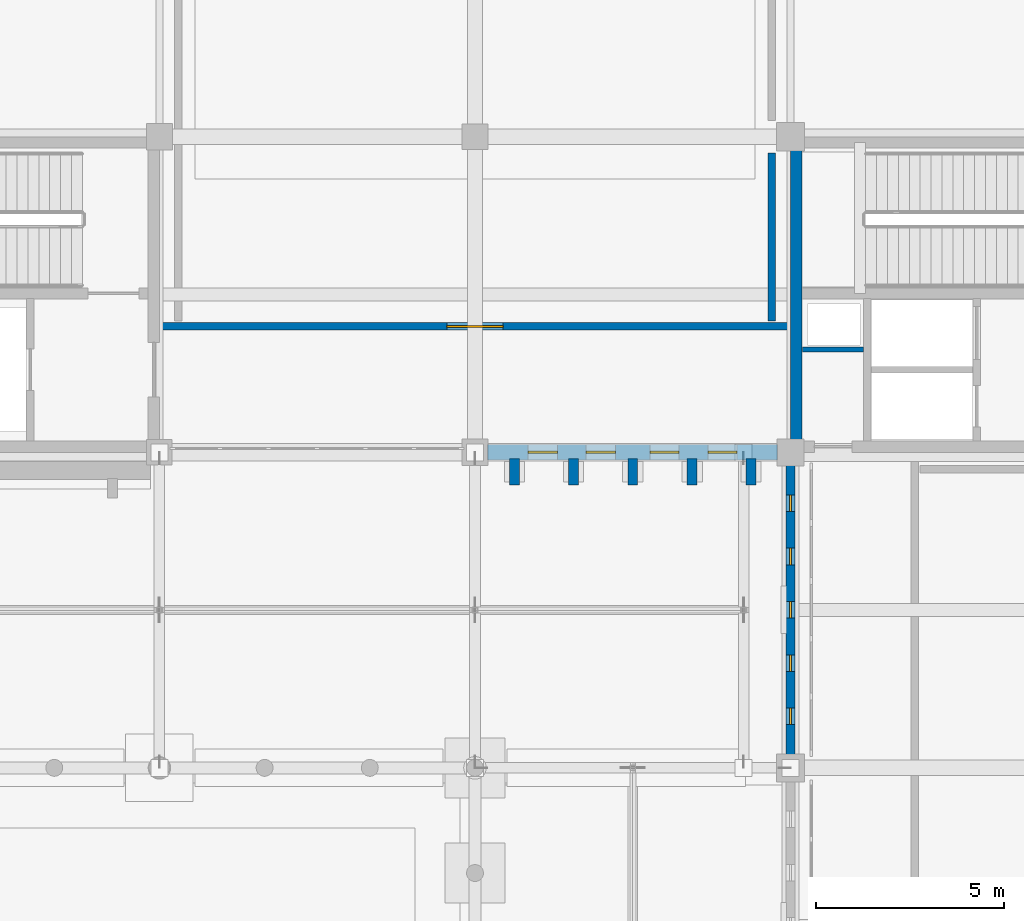
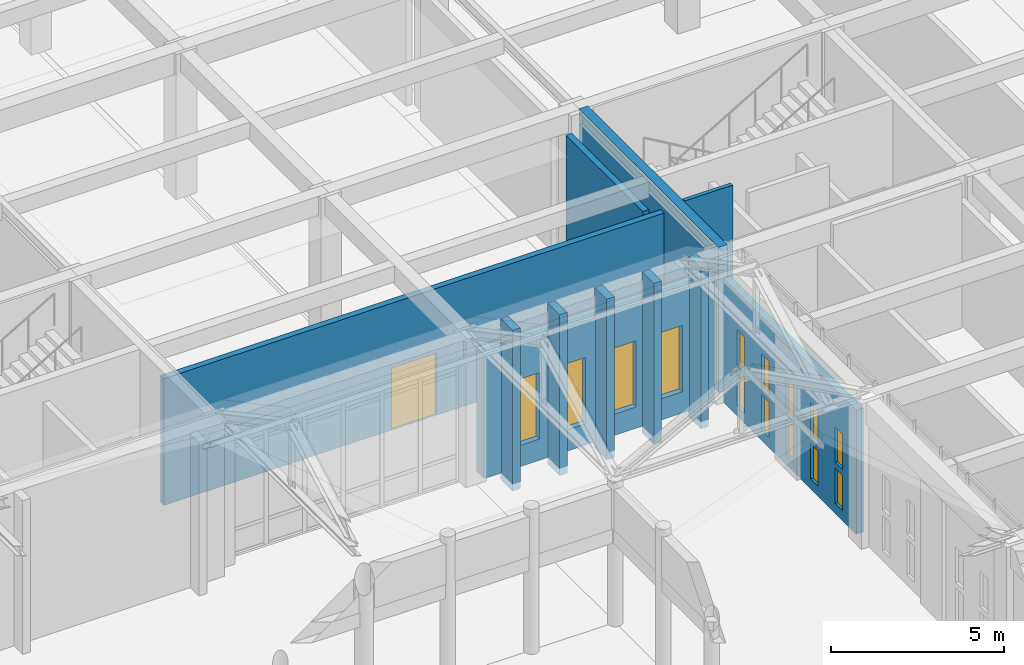
# One storey, part 122 of 143: 14 windows, 11 walls, 1 door, 15 openings.
"""IFC4 building model written with IfcOpenShell, lengths in metres."""

import ifcopenshell
import ifcopenshell.guid

model = None  # the IFC model being written
_history = None  # IfcOwnerHistory: only IFC2X3 demands one
_inside = {}  # id of a spatial element -> (the spatial element, [elements in it])
_under = {}  # id of a project, library or spatial element -> (it, [spatial elements below it])
_declared = {}  # id of a project -> (the project, [libraries it declares])
_typed = {}  # id of a type object -> (the type object, [elements of that type])
_made_of = {}  # id of a material, layer set ... -> (it, [elements and type objects made of it])


def new_model(schema):
    """Start an empty IFC model of exactly this schema.

    Asked for "IFC4X3", IfcOpenShell would pick the latest addendum, in which some entities
    have other attributes; the version numbers below select the first issue.
    IFC2X3 requires an IfcOwnerHistory on every rooted entity: one is made here for all.
    """
    global model, _history
    if schema == "IFC4X3":
        model = ifcopenshell.file(schema_version=(4, 3, 0, 0))
    else:
        model = ifcopenshell.file(schema=schema)
    _inside.clear()
    _under.clear()
    _declared.clear()
    _typed.clear()
    _made_of.clear()
    _history = None
    if model.schema == "IFC2X3":
        org = make("IfcOrganization", Name="unknown")
        user = make(
            "IfcPersonAndOrganization",
            ThePerson=make("IfcPerson", FamilyName="unknown"),
            TheOrganization=org,
        )
        app = make(
            "IfcApplication",
            ApplicationDeveloper=org,
            Version="unknown",
            ApplicationFullName="unknown",
            ApplicationIdentifier="unknown",
        )
        _history = make(
            "IfcOwnerHistory",
            OwningUser=user,
            OwningApplication=app,
            ChangeAction="ADDED",
            CreationDate=0,
        )
    return model


def make(cls, **values):
    """One entity of the class cls with the attributes given. An attribute that is None is left unset."""
    return model.create_entity(
        cls, **{name: value for name, value in values.items() if value is not None}
    )


def rooted(cls, **values):
    """An entity with a GlobalId (a new one), such as an element, a storey or a relation."""
    return make(cls, GlobalId=ifcopenshell.guid.new(), OwnerHistory=_history, **values)


def si_unit(unit_type, name, prefix=None):
    """IfcSIUnit, for example si_unit("LENGTHUNIT", "METRE", prefix="MILLI")."""
    return make("IfcSIUnit", UnitType=unit_type, Prefix=prefix, Name=name)


def assignment(units):
    """IfcUnitAssignment: the units of a project."""
    return None if units is None else make("IfcUnitAssignment", Units=units)


def point(xyz):
    """IfcCartesianPoint."""
    return None if xyz is None else make("IfcCartesianPoint", Coordinates=xyz)


def direction(xyz):
    """IfcDirection."""
    return None if xyz is None else make("IfcDirection", DirectionRatios=xyz)


def frame(location, z_axis=None, x_axis=None):
    """IfcAxis2Placement3D, a coordinate frame: its origin and axes. An axis left out is left unset."""
    return make(
        "IfcAxis2Placement3D",
        Location=point(location),
        Axis=direction(z_axis),
        RefDirection=direction(x_axis),
    )


def frame_2d(location, x_axis=None):
    """IfcAxis2Placement2D, a coordinate frame in the plane: its origin and x axis."""
    return make(
        "IfcAxis2Placement2D", Location=point(location), RefDirection=direction(x_axis)
    )


def origin():
    """The frame at (0, 0, 0) with its axes left unset."""
    return frame((0.0, 0.0, 0.0))


def place(relative_to, where):
    """IfcLocalPlacement: puts the frame where relative to a parent placement (None: the world)."""
    return make(
        "IfcLocalPlacement", PlacementRelTo=relative_to, RelativePlacement=where
    )


def context(
    kind, dimensions, precision=None, world=None, true_north=None, identifier=None
):
    """IfcGeometricRepresentationContext, for example the 3D "Model" context."""
    return make(
        "IfcGeometricRepresentationContext",
        ContextIdentifier=identifier,
        ContextType=kind,
        CoordinateSpaceDimension=dimensions,
        Precision=precision,
        WorldCoordinateSystem=world,
        TrueNorth=true_north,
    )


def subcontext(parent, identifier, kind, view, scale=None):
    """IfcGeometricRepresentationSubContext, for example "Body" below "Model"."""
    return make(
        "IfcGeometricRepresentationSubContext",
        ContextIdentifier=identifier,
        ContextType=kind,
        ParentContext=parent,
        TargetScale=scale,
        TargetView=view,
    )


def project(units=None, contexts=None):
    """IfcProject with its units and contexts."""
    return rooted(
        "IfcProject",
        Name="project",
        RepresentationContexts=contexts,
        UnitsInContext=assignment(units),
    )


def spatial(cls, under=None, at=None, **own):
    """A site, building, storey or space (cls), placed at a placement, below another one or the project."""
    s = rooted(cls, ObjectPlacement=at, **own)
    if under is not None:
        _under.setdefault(under.id(), (under, []))[1].append(s)
    return s


def profile(cls, at=None, kind="AREA", **sizes):
    """A parametric profile (cls). Its sizes go by their IFC names, for example OverallWidth=200.0."""
    return make(cls, ProfileType=kind, Position=at, **sizes)


def rectangle(**sizes):
    """IfcRectangleProfileDef."""
    return profile("IfcRectangleProfileDef", **sizes)


def extrude(swept, where, along, depth):
    """IfcExtrudedAreaSolid: the profile swept, set in the frame where, extruded along a direction by depth."""
    return make(
        "IfcExtrudedAreaSolid",
        SweptArea=swept,
        Position=where,
        ExtrudedDirection=direction(along),
        Depth=depth,
    )


def shape(context_of_items, identifier, shape_type, items):
    """IfcShapeRepresentation: the items that make up one representation, for example the "Body"."""
    return make(
        "IfcShapeRepresentation",
        ContextOfItems=context_of_items,
        RepresentationIdentifier=identifier,
        RepresentationType=shape_type,
        Items=items,
    )


def material(Name=None, Category=None):
    """IfcMaterial."""
    return make("IfcMaterial", Name=Name, Category=Category)


def layer(
    of_material, thickness, ventilated=None, Name=None, Category=None, Priority=None
):
    """IfcMaterialLayer: one layer of a wall or slab, of a material (None: an air gap)."""
    return make(
        "IfcMaterialLayer",
        Material=of_material,
        LayerThickness=thickness,
        IsVentilated=ventilated,
        Name=Name,
        Category=Category,
        Priority=Priority,
    )


def layer_set(layers, Name=None):
    """IfcMaterialLayerSet."""
    return make("IfcMaterialLayerSet", MaterialLayers=layers, LayerSetName=Name)


def made_of(thing, what):
    """Note that an element or type object is made of a material, layer set ...; save() writes the relation."""
    if what is not None:
        _made_of.setdefault(what.id(), (what, []))[1].append(thing)
    return thing


def type_object(cls, material=None, **own):
    """A type object (cls), such as IfcWallType, which elements share."""
    return made_of(rooted(cls, **own), material)


def element(
    cls,
    number,
    at=None,
    inside=None,
    cuts=None,
    type_object=None,
    material=None,
    context=None,
    identifier="Body",
    shape_type=None,
    held_by="IfcProductDefinitionShape",
    body=None,
    shapes=None,
    **own,
):
    """One element of the class cls, such as IfcWall. Its Tag is "e" and its number.

    at: its placement. inside: the storey or other place that contains it. cuts: it is an
    opening in that element (IfcRelVoidsElement). A single representation is given by context,
    identifier, shape_type and body (its items); several are given by shapes. held_by: the class
    of the entity that holds the representations. save() writes the other relations.
    """
    e = rooted(cls, Tag="e%d" % number, ObjectPlacement=at, **own)
    if body is not None:
        shapes = [shape(context, identifier, shape_type, body)]
    if shapes is not None:
        e.Representation = make(held_by, Representations=shapes)
    if inside is not None:
        _inside.setdefault(inside.id(), (inside, []))[1].append(e)
    if cuts is not None:
        rooted(
            "IfcRelVoidsElement", RelatingBuildingElement=cuts, RelatedOpeningElement=e
        )
    if type_object is not None:
        _typed.setdefault(type_object.id(), (type_object, []))[1].append(e)
    return made_of(e, material)


def fill(opening, filler):
    """IfcRelFillsElement: the door or window that sits in an opening."""
    return rooted(
        "IfcRelFillsElement",
        RelatingOpeningElement=opening,
        RelatedBuildingElement=filler,
    )


def aggregate(whole, parts):
    """IfcRelAggregates: a whole, such as a stair, and the parts it consists of."""
    return rooted("IfcRelAggregates", RelatingObject=whole, RelatedObjects=parts)


def save(model, path):
    """Write the relations noted so far, then the file.

    IfcRelAggregates (storeys below a building ...), IfcRelContainedInSpatialStructure (elements
    in a storey), IfcRelDefinesByType, IfcRelAssociatesMaterial and IfcRelDeclares: one each for
    every whole, place, type object, material and project.
    """
    for whole, parts in _under.values():
        aggregate(whole, parts)
    for where, things in _inside.values():
        rooted(
            "IfcRelContainedInSpatialStructure",
            RelatedElements=things,
            RelatingStructure=where,
        )
    for kind, things in _typed.values():
        rooted("IfcRelDefinesByType", RelatedObjects=things, RelatingType=kind)
    for what, things in _made_of.values():
        rooted("IfcRelAssociatesMaterial", RelatedObjects=things, RelatingMaterial=what)
    for by, libraries in _declared.values():
        rooted("IfcRelDeclares", RelatingContext=by, RelatedDefinitions=libraries)
    model.write(path)


model = new_model("IFC4")

# Units and contexts
model_context = context("Model", 3, precision=1e-05, world=origin(), true_north=direction((0.0, 1.0)))
body_context = subcontext(model_context, "Body", "Model", "MODEL_VIEW")
ifc_project = project(units=[si_unit("LENGTHUNIT", "METRE"), si_unit("AREAUNIT", "SQUARE_METRE"), si_unit("VOLUMEUNIT", "CUBIC_METRE"), si_unit("PLANEANGLEUNIT", "RADIAN"), si_unit("MASSUNIT", "GRAM", prefix="KILO")], contexts=[model_context])

# Site, building, storey
site_placement = place(None, origin())
site = spatial("IfcSite", under=ifc_project, at=site_placement, CompositionType="ELEMENT")
building_placement = place(site_placement, origin())
building = spatial("IfcBuilding", under=site, at=building_placement, Name="Kveldsbrygga Polytechnic", CompositionType="ELEMENT")
storey_placement = place(building_placement, origin())
storey = spatial("IfcBuildingStorey", under=building, at=storey_placement, Name="L00", CompositionType="ELEMENT", Elevation=0.0)

# Wall, openings, windows
ifc_material_1 = material(Name="Fired clay brick masonry M10", Category="masonry")
ifc_layer_1 = layer(ifc_material_1, 0.419921875)
ifc_layer_set_1 = layer_set([ifc_layer_1], Name="Fired clay brick masonry M10")
wall_type_1 = type_object("IfcWallType", Name="EW-BRICK-420", PredefinedType="SOLIDWALL", material=ifc_layer_set_1)
wall_1_placement = place(storey_placement, frame((117.93505859375, 84.0, 0.0), z_axis=(0.0, 0.0, 1.0), x_axis=(1.0, 0.0, 0.0)))
wall_1 = element("IfcWall", 1, at=wall_1_placement, inside=storey, type_object=wall_type_1, Name="Exterior Brick Wall EW-L00-X-14-10", PredefinedType="SOLIDWALL", context=body_context, shape_type="SweptSolid", body=[
    extrude(rectangle(XDim=7.719970703125, YDim=0.419921875, at=frame_2d((3.85986328125, 0.0))), origin(), (0.0, 0.0, 1.0), 4.39990234375),
])
opening_1_placement = place(wall_1_placement, frame((1.076904296875, 0.0, 0.75)))
opening_1 = element("IfcOpeningElement", 2, at=opening_1_placement, cuts=wall_1, Name="Opening W-08", PredefinedType="OPENING", context=body_context, shape_type="SweptSolid", body=[
    extrude(rectangle(XDim=0.780029296875, YDim=2.35009765625, at=frame_2d((0.39013671875, 1.175048828125))), frame((0.0, 0.219970703125, 0.0), z_axis=(0.0, -1.0, 0.0), x_axis=(1.0, 0.0, 0.0)), (0.0, 0.0, 1.0), 0.43994140625),
])
opening_2_placement = place(wall_1_placement, frame((2.620849609375, 0.0, 0.75)))
opening_2 = element("IfcOpeningElement", 3, at=opening_2_placement, cuts=wall_1, Name="Opening W-08", PredefinedType="OPENING", context=body_context, shape_type="SweptSolid", body=[
    extrude(rectangle(XDim=0.780029296875, YDim=2.35009765625, at=frame_2d((0.39013671875, 1.175048828125))), frame((0.0, 0.219970703125, 0.0), z_axis=(0.0, -1.0, 0.0), x_axis=(1.0, 0.0, 0.0)), (0.0, 0.0, 1.0), 0.43994140625),
])
opening_3_placement = place(wall_1_placement, frame((4.319091796875, 0.0, 0.75)))
opening_3 = element("IfcOpeningElement", 4, at=opening_3_placement, cuts=wall_1, Name="Opening W-08", PredefinedType="OPENING", context=body_context, shape_type="SweptSolid", body=[
    extrude(rectangle(XDim=0.780029296875, YDim=2.35009765625, at=frame_2d((0.39013671875, 1.175048828125))), frame((0.0, 0.219970703125, 0.0), z_axis=(0.0, -1.0, 0.0), x_axis=(1.0, 0.0, 0.0)), (0.0, 0.0, 1.0), 0.43994140625),
])
opening_4_placement = place(wall_1_placement, frame((5.86328125, 0.0, 0.75)))
opening_4 = element("IfcOpeningElement", 5, at=opening_4_placement, cuts=wall_1, Name="Opening W-08", PredefinedType="OPENING", context=body_context, shape_type="SweptSolid", body=[
    extrude(rectangle(XDim=0.780029296875, YDim=2.35009765625, at=frame_2d((0.39013671875, 1.175048828125))), frame((0.0, 0.219970703125, 0.0), z_axis=(0.0, -1.0, 0.0), x_axis=(1.0, 0.0, 0.0)), (0.0, 0.0, 1.0), 0.43994140625),
])
ifc_material_2 = material(Name="Insulated triple low-E glass", Category="glass")
window_type_1 = type_object("IfcWindowType", Name="WN-LANC-078x235", PartitioningType="DOUBLE_PANEL_VERTICAL", PredefinedType="WINDOW", material=ifc_material_2)
window_1_placement = place(opening_1_placement, origin())
window_1 = element("IfcWindow", 6, at=window_1_placement, inside=storey, type_object=window_type_1, Name="Gothic Lancet Window WIN-L00-X-14-10-1", OverallHeight=2.35009765625, OverallWidth=0.780029296875, PartitioningType="DOUBLE_PANEL_VERTICAL", PredefinedType="WINDOW", context=body_context, shape_type="SweptSolid", body=[
    extrude(rectangle(XDim=0.780029296875, YDim=2.35009765625, at=frame_2d((0.39013671875, 1.175048828125))), frame((0.0, 0.030029296875, 0.0), z_axis=(0.0, -1.0, 0.0), x_axis=(1.0, 0.0, 0.0)), (0.0, 0.0, 1.0), 0.06005859375),
])
fill(opening_1, window_1)
window_2_placement = place(opening_2_placement, origin())
window_2 = element("IfcWindow", 7, at=window_2_placement, inside=storey, type_object=window_type_1, Name="Gothic Lancet Window WIN-L00-X-14-10-2", OverallHeight=2.35009765625, OverallWidth=0.780029296875, PartitioningType="DOUBLE_PANEL_VERTICAL", PredefinedType="WINDOW", context=body_context, shape_type="SweptSolid", body=[
    extrude(rectangle(XDim=0.780029296875, YDim=2.35009765625, at=frame_2d((0.39013671875, 1.175048828125))), frame((0.0, 0.030029296875, 0.0), z_axis=(0.0, -1.0, 0.0), x_axis=(1.0, 0.0, 0.0)), (0.0, 0.0, 1.0), 0.06005859375),
])
fill(opening_2, window_2)
window_3_placement = place(opening_3_placement, origin())
window_3 = element("IfcWindow", 8, at=window_3_placement, inside=storey, type_object=window_type_1, Name="Gothic Lancet Window WIN-L00-X-14-10-3", OverallHeight=2.35009765625, OverallWidth=0.780029296875, PartitioningType="DOUBLE_PANEL_VERTICAL", PredefinedType="WINDOW", context=body_context, shape_type="SweptSolid", body=[
    extrude(rectangle(XDim=0.780029296875, YDim=2.35009765625, at=frame_2d((0.39013671875, 1.175048828125))), frame((0.0, 0.030029296875, 0.0), z_axis=(0.0, -1.0, 0.0), x_axis=(1.0, 0.0, 0.0)), (0.0, 0.0, 1.0), 0.06005859375),
])
fill(opening_3, window_3)
window_4_placement = place(opening_4_placement, origin())
window_4 = element("IfcWindow", 9, at=window_4_placement, inside=storey, type_object=window_type_1, Name="Gothic Lancet Window WIN-L00-X-14-10-4", OverallHeight=2.35009765625, OverallWidth=0.780029296875, PartitioningType="DOUBLE_PANEL_VERTICAL", PredefinedType="WINDOW", context=body_context, shape_type="SweptSolid", body=[
    extrude(rectangle(XDim=0.780029296875, YDim=2.35009765625, at=frame_2d((0.39013671875, 1.175048828125))), frame((0.0, 0.030029296875, 0.0), z_axis=(0.0, -1.0, 0.0), x_axis=(1.0, 0.0, 0.0)), (0.0, 0.0, 1.0), 0.06005859375),
])
fill(opening_4, window_4)

# Walls
ifc_layer_2 = layer(ifc_material_1, 0.260009765625)
ifc_layer_set_2 = layer_set([ifc_layer_2], Name="Fired clay brick masonry M10")
wall_type_2 = type_object("IfcWallType", Name="EW-BUTT-260", PredefinedType="SOLIDWALL", material=ifc_layer_set_2)
for number, where, z_axis, x_axis, name in (
    (10, (118.64990234375, 83.8349609375, -0.25), (0.0, 0.0, 1.0), (0.0, -1.0, 0.0), "Gothic Brick Buttress Pier BUTT-L00-X-14-10-1"),
    (11, (120.219970703125, 83.8349609375, -0.25), (0.0, 0.0, 1.0), (0.0, -1.0, 0.0), "Gothic Brick Buttress Pier BUTT-L00-X-14-10-2"),
    (12, (121.800048828125, 83.8349609375, -0.25), (0.0, 0.0, 1.0), (0.0, -1.0, 0.0), "Gothic Brick Buttress Pier BUTT-L00-X-14-10-3"),
    (13, (123.3798828125, 83.8349609375, -0.25), (0.0, 0.0, 1.0), (0.0, -1.0, 0.0), "Gothic Brick Buttress Pier BUTT-L00-X-14-10-4"),
    (14, (124.949951171875, 83.8349609375, -0.25), (0.0, 0.0, 1.0), (0.0, -1.0, 0.0), "Gothic Brick Buttress Pier BUTT-L00-X-14-10-5"),
):
    element("IfcWall", number, at=place(storey_placement, frame(where, z_axis=z_axis, x_axis=x_axis)), inside=storey, type_object=wall_type_2, Name=name, PredefinedType="SOLIDWALL", context=body_context, shape_type="SweptSolid", body=[
        extrude(rectangle(XDim=0.699951171875, YDim=0.260009765625, at=frame_2d((0.35009765625, 0.0))), origin(), (0.0, 0.0, 1.0), 5.68994140625),
    ])

# Wall, openings, windows
ifc_layer_3 = layer(ifc_material_1, 0.239990234375)
ifc_layer_set_3 = layer_set([ifc_layer_3], Name="Fired clay brick masonry M10")
wall_type_3 = type_object("IfcWallType", Name="EW-SCRN-240", PredefinedType="SOLIDWALL", material=ifc_layer_set_3)
wall_2_placement = place(storey_placement, frame((126.0, 75.9599609375, 0.0), z_axis=(0.0, 0.0, 1.0), x_axis=(0.0, 1.0, 0.0)))
wall_2 = element("IfcWall", 15, at=wall_2_placement, inside=storey, type_object=wall_type_3, Name="Perforated Brick Corridor Screen Wall SCRW-L00-Y-15-09", PredefinedType="SOLIDWALL", context=body_context, shape_type="SweptSolid", body=[
    extrude(rectangle(XDim=7.695068359375, YDim=0.239990234375, at=frame_2d((3.84765625, 0.0))), origin(), (0.0, 0.0, 1.0), 4.389892578125),
])
opening_5_placement = place(wall_2_placement, frame((0.78955078125, 0.0, 0.35009765625)))
opening_5 = element("IfcOpeningElement", 16, at=opening_5_placement, cuts=wall_2, Name="Opening W-48", PredefinedType="OPENING", context=body_context, shape_type="SweptSolid", body=[
    extrude(rectangle(XDim=0.43994140625, YDim=1.25, at=frame_2d((0.219970703125, 0.625))), frame((0.0, 0.1298828125, 0.0), z_axis=(0.0, -1.0, 0.0), x_axis=(1.0, 0.0, 0.0)), (0.0, 0.0, 1.0), 0.260009765625),
])
opening_6_placement = place(wall_2_placement, frame((2.20849609375, 0.0, 0.35009765625)))
opening_6 = element("IfcOpeningElement", 17, at=opening_6_placement, cuts=wall_2, Name="Opening W-48", PredefinedType="OPENING", context=body_context, shape_type="SweptSolid", body=[
    extrude(rectangle(XDim=0.43994140625, YDim=1.25, at=frame_2d((0.219970703125, 0.625))), frame((0.0, 0.1298828125, 0.0), z_axis=(0.0, -1.0, 0.0), x_axis=(1.0, 0.0, 0.0)), (0.0, 0.0, 1.0), 0.260009765625),
])
opening_7_placement = place(wall_2_placement, frame((3.62744140625, 0.0, 0.35009765625)))
opening_7 = element("IfcOpeningElement", 18, at=opening_7_placement, cuts=wall_2, Name="Opening W-48", PredefinedType="OPENING", context=body_context, shape_type="SweptSolid", body=[
    extrude(rectangle(XDim=0.43994140625, YDim=1.25, at=frame_2d((0.219970703125, 0.625))), frame((0.0, 0.1298828125, 0.0), z_axis=(0.0, -1.0, 0.0), x_axis=(1.0, 0.0, 0.0)), (0.0, 0.0, 1.0), 0.260009765625),
])
opening_8_placement = place(wall_2_placement, frame((5.04638671875, 0.0, 0.35009765625)))
opening_8 = element("IfcOpeningElement", 19, at=opening_8_placement, cuts=wall_2, Name="Opening W-48", PredefinedType="OPENING", context=body_context, shape_type="SweptSolid", body=[
    extrude(rectangle(XDim=0.43994140625, YDim=1.25, at=frame_2d((0.219970703125, 0.625))), frame((0.0, 0.1298828125, 0.0), z_axis=(0.0, -1.0, 0.0), x_axis=(1.0, 0.0, 0.0)), (0.0, 0.0, 1.0), 0.260009765625),
])
opening_9_placement = place(wall_2_placement, frame((6.465576171875, 0.0, 0.35009765625)))
opening_9 = element("IfcOpeningElement", 20, at=opening_9_placement, cuts=wall_2, Name="Opening W-48", PredefinedType="OPENING", context=body_context, shape_type="SweptSolid", body=[
    extrude(rectangle(XDim=0.43994140625, YDim=1.25, at=frame_2d((0.219970703125, 0.625))), frame((0.0, 0.1298828125, 0.0), z_axis=(0.0, -1.0, 0.0), x_axis=(1.0, 0.0, 0.0)), (0.0, 0.0, 1.0), 0.260009765625),
])
opening_10_placement = place(wall_2_placement, frame((0.78955078125, 0.0, 1.800048828125)))
opening_10 = element("IfcOpeningElement", 21, at=opening_10_placement, cuts=wall_2, Name="Opening W-48", PredefinedType="OPENING", context=body_context, shape_type="SweptSolid", body=[
    extrude(rectangle(XDim=0.43994140625, YDim=1.25, at=frame_2d((0.219970703125, 0.625))), frame((0.0, 0.1298828125, 0.0), z_axis=(0.0, -1.0, 0.0), x_axis=(1.0, 0.0, 0.0)), (0.0, 0.0, 1.0), 0.260009765625),
])
opening_11_placement = place(wall_2_placement, frame((2.20849609375, 0.0, 1.800048828125)))
opening_11 = element("IfcOpeningElement", 22, at=opening_11_placement, cuts=wall_2, Name="Opening W-48", PredefinedType="OPENING", context=body_context, shape_type="SweptSolid", body=[
    extrude(rectangle(XDim=0.43994140625, YDim=1.25, at=frame_2d((0.219970703125, 0.625))), frame((0.0, 0.1298828125, 0.0), z_axis=(0.0, -1.0, 0.0), x_axis=(1.0, 0.0, 0.0)), (0.0, 0.0, 1.0), 0.260009765625),
])
opening_12_placement = place(wall_2_placement, frame((3.62744140625, 0.0, 1.800048828125)))
opening_12 = element("IfcOpeningElement", 23, at=opening_12_placement, cuts=wall_2, Name="Opening W-48", PredefinedType="OPENING", context=body_context, shape_type="SweptSolid", body=[
    extrude(rectangle(XDim=0.43994140625, YDim=1.25, at=frame_2d((0.219970703125, 0.625))), frame((0.0, 0.1298828125, 0.0), z_axis=(0.0, -1.0, 0.0), x_axis=(1.0, 0.0, 0.0)), (0.0, 0.0, 1.0), 0.260009765625),
])
opening_13_placement = place(wall_2_placement, frame((5.04638671875, 0.0, 1.800048828125)))
opening_13 = element("IfcOpeningElement", 24, at=opening_13_placement, cuts=wall_2, Name="Opening W-48", PredefinedType="OPENING", context=body_context, shape_type="SweptSolid", body=[
    extrude(rectangle(XDim=0.43994140625, YDim=1.25, at=frame_2d((0.219970703125, 0.625))), frame((0.0, 0.1298828125, 0.0), z_axis=(0.0, -1.0, 0.0), x_axis=(1.0, 0.0, 0.0)), (0.0, 0.0, 1.0), 0.260009765625),
])
opening_14_placement = place(wall_2_placement, frame((6.465576171875, 0.0, 1.800048828125)))
opening_14 = element("IfcOpeningElement", 25, at=opening_14_placement, cuts=wall_2, Name="Opening W-48", PredefinedType="OPENING", context=body_context, shape_type="SweptSolid", body=[
    extrude(rectangle(XDim=0.43994140625, YDim=1.25, at=frame_2d((0.219970703125, 0.625))), frame((0.0, 0.1298828125, 0.0), z_axis=(0.0, -1.0, 0.0), x_axis=(1.0, 0.0, 0.0)), (0.0, 0.0, 1.0), 0.260009765625),
])
window_type_2 = type_object("IfcWindowType", Name="WN-SCRN-044x125", PartitioningType="SINGLE_PANEL", PredefinedType="WINDOW", material=ifc_material_2)
window_5_placement = place(opening_5_placement, origin())
window_5 = element("IfcWindow", 26, at=window_5_placement, inside=storey, type_object=window_type_2, Name="Perforated Screen Aperture L00-Y-15-09-1", OverallHeight=1.25, OverallWidth=0.43994140625, PartitioningType="SINGLE_PANEL", PredefinedType="WINDOW", context=body_context, shape_type="SweptSolid", body=[
    extrude(rectangle(XDim=0.43994140625, YDim=1.25, at=frame_2d((0.219970703125, 0.625))), frame((0.0, 0.030029296875, 0.0), z_axis=(0.0, -1.0, 0.0), x_axis=(1.0, 0.0, 0.0)), (0.0, 0.0, 1.0), 0.06005859375),
])
fill(opening_5, window_5)
window_6_placement = place(opening_6_placement, origin())
window_6 = element("IfcWindow", 27, at=window_6_placement, inside=storey, type_object=window_type_2, Name="Perforated Screen Aperture L00-Y-15-09-2", OverallHeight=1.25, OverallWidth=0.43994140625, PartitioningType="SINGLE_PANEL", PredefinedType="WINDOW", context=body_context, shape_type="SweptSolid", body=[
    extrude(rectangle(XDim=0.43994140625, YDim=1.25, at=frame_2d((0.219970703125, 0.625))), frame((0.0, 0.030029296875, 0.0), z_axis=(0.0, -1.0, 0.0), x_axis=(1.0, 0.0, 0.0)), (0.0, 0.0, 1.0), 0.06005859375),
])
fill(opening_6, window_6)
window_7_placement = place(opening_7_placement, origin())
window_7 = element("IfcWindow", 28, at=window_7_placement, inside=storey, type_object=window_type_2, Name="Perforated Screen Aperture L00-Y-15-09-3", OverallHeight=1.25, OverallWidth=0.43994140625, PartitioningType="SINGLE_PANEL", PredefinedType="WINDOW", context=body_context, shape_type="SweptSolid", body=[
    extrude(rectangle(XDim=0.43994140625, YDim=1.25, at=frame_2d((0.219970703125, 0.625))), frame((0.0, 0.030029296875, 0.0), z_axis=(0.0, -1.0, 0.0), x_axis=(1.0, 0.0, 0.0)), (0.0, 0.0, 1.0), 0.06005859375),
])
fill(opening_7, window_7)
window_8_placement = place(opening_8_placement, origin())
window_8 = element("IfcWindow", 29, at=window_8_placement, inside=storey, type_object=window_type_2, Name="Perforated Screen Aperture L00-Y-15-09-4", OverallHeight=1.25, OverallWidth=0.43994140625, PartitioningType="SINGLE_PANEL", PredefinedType="WINDOW", context=body_context, shape_type="SweptSolid", body=[
    extrude(rectangle(XDim=0.43994140625, YDim=1.25, at=frame_2d((0.219970703125, 0.625))), frame((0.0, 0.030029296875, 0.0), z_axis=(0.0, -1.0, 0.0), x_axis=(1.0, 0.0, 0.0)), (0.0, 0.0, 1.0), 0.06005859375),
])
fill(opening_8, window_8)
window_9_placement = place(opening_9_placement, origin())
window_9 = element("IfcWindow", 30, at=window_9_placement, inside=storey, type_object=window_type_2, Name="Perforated Screen Aperture L00-Y-15-09-5", OverallHeight=1.25, OverallWidth=0.43994140625, PartitioningType="SINGLE_PANEL", PredefinedType="WINDOW", context=body_context, shape_type="SweptSolid", body=[
    extrude(rectangle(XDim=0.43994140625, YDim=1.25, at=frame_2d((0.219970703125, 0.625))), frame((0.0, 0.030029296875, 0.0), z_axis=(0.0, -1.0, 0.0), x_axis=(1.0, 0.0, 0.0)), (0.0, 0.0, 1.0), 0.06005859375),
])
fill(opening_9, window_9)
window_10_placement = place(opening_10_placement, origin())
window_10 = element("IfcWindow", 31, at=window_10_placement, inside=storey, type_object=window_type_2, Name="Perforated Screen Aperture L00-Y-15-09-6", OverallHeight=1.25, OverallWidth=0.43994140625, PartitioningType="SINGLE_PANEL", PredefinedType="WINDOW", context=body_context, shape_type="SweptSolid", body=[
    extrude(rectangle(XDim=0.43994140625, YDim=1.25, at=frame_2d((0.219970703125, 0.625))), frame((0.0, 0.030029296875, 0.0), z_axis=(0.0, -1.0, 0.0), x_axis=(1.0, 0.0, 0.0)), (0.0, 0.0, 1.0), 0.06005859375),
])
fill(opening_10, window_10)
window_11_placement = place(opening_11_placement, origin())
window_11 = element("IfcWindow", 32, at=window_11_placement, inside=storey, type_object=window_type_2, Name="Perforated Screen Aperture L00-Y-15-09-7", OverallHeight=1.25, OverallWidth=0.43994140625, PartitioningType="SINGLE_PANEL", PredefinedType="WINDOW", context=body_context, shape_type="SweptSolid", body=[
    extrude(rectangle(XDim=0.43994140625, YDim=1.25, at=frame_2d((0.219970703125, 0.625))), frame((0.0, 0.030029296875, 0.0), z_axis=(0.0, -1.0, 0.0), x_axis=(1.0, 0.0, 0.0)), (0.0, 0.0, 1.0), 0.06005859375),
])
fill(opening_11, window_11)
window_12_placement = place(opening_12_placement, origin())
window_12 = element("IfcWindow", 33, at=window_12_placement, inside=storey, type_object=window_type_2, Name="Perforated Screen Aperture L00-Y-15-09-8", OverallHeight=1.25, OverallWidth=0.43994140625, PartitioningType="SINGLE_PANEL", PredefinedType="WINDOW", context=body_context, shape_type="SweptSolid", body=[
    extrude(rectangle(XDim=0.43994140625, YDim=1.25, at=frame_2d((0.219970703125, 0.625))), frame((0.0, 0.030029296875, 0.0), z_axis=(0.0, -1.0, 0.0), x_axis=(1.0, 0.0, 0.0)), (0.0, 0.0, 1.0), 0.06005859375),
])
fill(opening_12, window_12)
window_13_placement = place(opening_13_placement, origin())
window_13 = element("IfcWindow", 34, at=window_13_placement, inside=storey, type_object=window_type_2, Name="Perforated Screen Aperture L00-Y-15-09-9", OverallHeight=1.25, OverallWidth=0.43994140625, PartitioningType="SINGLE_PANEL", PredefinedType="WINDOW", context=body_context, shape_type="SweptSolid", body=[
    extrude(rectangle(XDim=0.43994140625, YDim=1.25, at=frame_2d((0.219970703125, 0.625))), frame((0.0, 0.030029296875, 0.0), z_axis=(0.0, -1.0, 0.0), x_axis=(1.0, 0.0, 0.0)), (0.0, 0.0, 1.0), 0.06005859375),
])
fill(opening_13, window_13)
window_14_placement = place(opening_14_placement, origin())
window_14 = element("IfcWindow", 35, at=window_14_placement, inside=storey, type_object=window_type_2, Name="Perforated Screen Aperture L00-Y-15-09-10", OverallHeight=1.25, OverallWidth=0.43994140625, PartitioningType="SINGLE_PANEL", PredefinedType="WINDOW", context=body_context, shape_type="SweptSolid", body=[
    extrude(rectangle(XDim=0.43994140625, YDim=1.25, at=frame_2d((0.219970703125, 0.625))), frame((0.0, 0.030029296875, 0.0), z_axis=(0.0, -1.0, 0.0), x_axis=(1.0, 0.0, 0.0)), (0.0, 0.0, 1.0), 0.06005859375),
])
fill(opening_14, window_14)

# Wall, opening, door
ifc_layer_4 = layer(ifc_material_1, 0.199951171875)
ifc_layer_set_4 = layer_set([ifc_layer_4], Name="Fired clay brick masonry M10")
wall_type_4 = type_object("IfcWallType", Name="IW-LAB-200", PredefinedType="PARTITIONING", material=ifc_layer_set_4)
wall_3_placement = place(storey_placement, frame((109.22998046875, 87.35009765625, 0.0), z_axis=(0.0, 0.0, 1.0), x_axis=(1.0, 0.0, 0.0)))
wall_3 = element("IfcWall", 36, at=wall_3_placement, inside=storey, type_object=wall_type_4, Name="Partition Wall IW-SP-L00-LAB5-S1", PredefinedType="PARTITIONING", context=body_context, shape_type="SweptSolid", body=[
    extrude(rectangle(XDim=16.739990234375, YDim=0.199951171875, at=frame_2d((8.3701171875, 0.0))), origin(), (0.0, 0.0, 1.0), 4.489990234375),
])
opening_15_placement = place(wall_3_placement, frame((7.6201171875, 0.0, 0.0)))
opening_15 = element("IfcOpeningElement", 37, at=opening_15_placement, cuts=wall_3, Name="Opening ID-L00-039", PredefinedType="OPENING", context=body_context, shape_type="SweptSolid", body=[
    extrude(rectangle(XDim=1.5, YDim=2.199951171875, at=frame_2d((0.75, 1.10009765625))), frame((0.0, 0.10986328125, 0.0), z_axis=(0.0, -1.0, 0.0), x_axis=(1.0, 0.0, 0.0)), (0.0, 0.0, 1.0), 0.219970703125),
])
ifc_material_3 = material(Name="Acoustic oak timber", Category="wood")
door_type = type_object("IfcDoorType", Name="ID-LAB-150x220", OperationType="DOUBLE_DOOR_SINGLE_SWING", PredefinedType="DOOR", material=ifc_material_3)
door_placement = place(opening_15_placement, origin())
door = element("IfcDoor", 38, at=door_placement, inside=storey, type_object=door_type, Name="Interior Door ID-L00-039", OperationType="DOUBLE_DOOR_SINGLE_SWING", OverallHeight=2.199951171875, OverallWidth=1.5, PredefinedType="DOOR", context=body_context, shape_type="SweptSolid", body=[
    extrude(rectangle(XDim=1.5, YDim=2.199951171875, at=frame_2d((0.75, 1.10009765625))), frame((0.0, 0.02490234375, 0.0), z_axis=(0.0, -1.0, 0.0), x_axis=(1.0, 0.0, 0.0)), (0.0, 0.0, 1.0), 0.050048828125),
])
fill(opening_15, door)

# Walls
wall_4_placement = place(storey_placement, frame((125.5, 87.5, 0.0), z_axis=(0.0, 0.0, 1.0), x_axis=(0.0, 1.0, 0.0)))
element("IfcWall", 39, at=wall_4_placement, inside=storey, type_object=wall_type_4, Name="Partition Wall IW-SP-L00-LAB5-E1", PredefinedType="PARTITIONING", context=body_context, shape_type="SweptSolid", body=[
    extrude(rectangle(XDim=4.465087890625, YDim=0.199951171875, at=frame_2d((2.232421875, 0.0))), origin(), (0.0, 0.0, 1.0), 4.590087890625),
])
ifc_material_4 = material(Name="Moisture-resistant masonry M10", Category="masonry")
ifc_layer_5 = layer(ifc_material_4, 0.1298828125)
ifc_layer_set_5 = layer_set([ifc_layer_5], Name="Moisture-resistant masonry M10")
wall_type_5 = type_object("IfcWallType", Name="IW-SAN-130", PredefinedType="PARTITIONING", material=ifc_layer_set_5)
wall_5_placement = place(storey_placement, frame((126.320068359375, 86.739990234375, 0.0), z_axis=(0.0, 0.0, 1.0), x_axis=(1.0, 0.0, 0.0)))
element("IfcWall", 40, at=wall_5_placement, inside=storey, type_object=wall_type_5, Name="Core AWC Divider C2-L00-W-RSR", PredefinedType="PARTITIONING", context=body_context, shape_type="SweptSolid", body=[
    extrude(rectangle(XDim=1.619873046875, YDim=0.1298828125, at=frame_2d((0.81005859375, 0.0))), origin(), (0.0, 0.0, 1.0), 5.139892578125),
])
ifc_material_5 = material(Name="Concrete C45/55", Category="concrete")
ifc_layer_6 = layer(ifc_material_5, 0.300048828125)
ifc_layer_set_6 = layer_set([ifc_layer_6], Name="Concrete C45/55")
wall_type_6 = type_object("IfcWallType", Name="WL-CORE-300", PredefinedType="SHEAR", material=ifc_layer_set_6)
wall_6_placement = place(storey_placement, frame((126.14990234375, 84.14990234375, 0.0), z_axis=(0.0, 0.0, 1.0), x_axis=(0.0, 1.0, 0.0)))
element("IfcWall", 41, at=wall_6_placement, inside=storey, type_object=wall_type_6, Name="Core C2 Shear Wall C2-L00-SW-W", PredefinedType="SHEAR", context=body_context, shape_type="SweptSolid", body=[
    extrude(rectangle(XDim=8.10009765625, YDim=0.300048828125, at=frame_2d((4.050048828125, 0.0))), origin(), (0.0, 0.0, 1.0), 5.139892578125),
])

save(model, "model.ifc")
